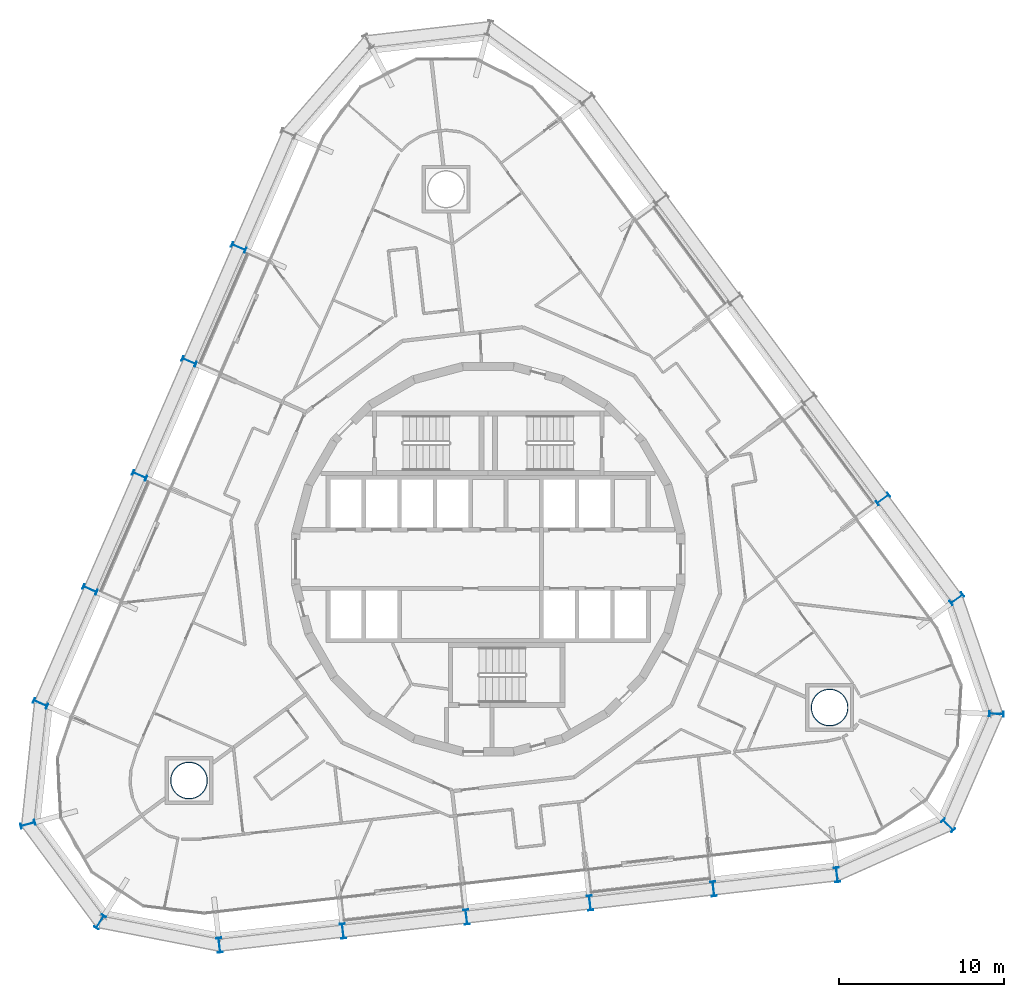
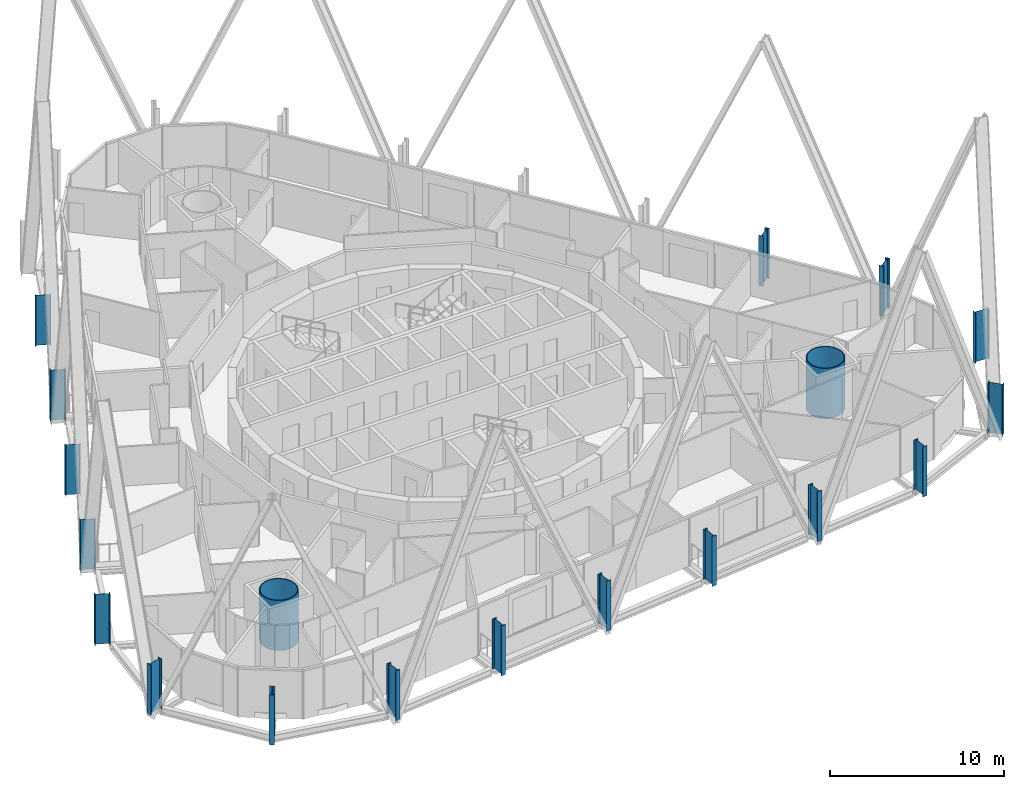
# One storey, part 1 of 23: 19 columns.
"""IFC4 building model written with IfcOpenShell, lengths in metres."""

from ifc_helpers import new_model, si_unit, direction, frame, origin, origin_2d, place, context, subcontext, project, spatial, hollow_circle, i_section, extrude, material, material_profile, profile_set, type_object, element, save


model = new_model("IFC4")

# Units and contexts
model_context = context("Model", 3, precision=1e-05, world=origin(), true_north=direction((0.0, 1.0)))
body_context = subcontext(model_context, "Body", "Model", "MODEL_VIEW")
ifc_project = project(units=[si_unit("LENGTHUNIT", "METRE"), si_unit("AREAUNIT", "SQUARE_METRE"), si_unit("VOLUMEUNIT", "CUBIC_METRE"), si_unit("PLANEANGLEUNIT", "RADIAN"), si_unit("MASSUNIT", "GRAM", prefix="KILO")], contexts=[model_context])

# Site, building, storey
site_placement = place(None, origin())
site = spatial("IfcSite", under=ifc_project, at=site_placement, CompositionType="ELEMENT")
building_placement = place(site_placement, origin())
building = spatial("IfcBuilding", under=site, at=building_placement, Name="Spindle Arch Residences", CompositionType="ELEMENT")
storey_placement = place(building_placement, frame((0.0, 0.0, 90.699951171875)))
storey = spatial("IfcBuildingStorey", under=building, at=storey_placement, Name="L21", CompositionType="ELEMENT", Elevation=90.699951171875)

# Columns
ifc_material_1 = material(Name="Steel S460ML, intumescent coating R 240", Category="steel")
ifc_material_profile_1 = material_profile(ifc_material_1, i_section(OverallWidth=0.300048828125, OverallDepth=0.89990234375, WebThickness=0.0185546875, FlangeThickness=0.034912109375, FilletRadius=0.030029296875, at=origin_2d()), Name="HEB 900")
ifc_profile_set_1 = profile_set([ifc_material_profile_1], Name="Steel S460ML, intumescent coating R 240")
column_type_1 = type_object("IfcColumnType", Name="Exoskeleton post HEB 900", PredefinedType="COLUMN", material=ifc_profile_set_1)
for number, where, z_axis, x_axis, name in (
    (1, (6.153076171875, -20.794677734375, -0.3798828125), (0.0, 0.0, 1.0), (-0.993571881569, -0.113202986513, 0.0), "Exoskeleton post 1"),
    (2, (13.62353515625, -19.943603515625, -0.3798828125), (0.0, 0.0, 1.0), (-0.993571881569, -0.113202986513, 0.0), "Exoskeleton post 2"),
    (3, (21.093994140625, -19.09228515625, -0.3798828125), (0.0, 0.0, 1.0), (-0.993571881569, -0.113202986513, 0.0), "Exoskeleton post 3"),
    (4, (27.81103515625, -16.097900390625, -0.3798828125), (0.0, 0.0, 1.0), (-0.704963041271, -0.709244041527, 0.0), "Exoskeleton post 4"),
    (5, (30.740478515625, -9.36083984375, -0.3798828125), (0.0, 0.0, 1.0), (-0.037923985838, -0.9992806269, 0.0), "Exoskeleton post 5"),
    (6, (28.349365234375, -2.40625, -0.3798828125), (0.0, 0.0, 1.0), (0.594822857897, -0.803856807972, 0.0), "Exoskeleton post 6"),
    (7, (23.876953125, 3.637939453125, -0.3798828125), (0.0, 0.0, 1.0), (0.594822857897, -0.803856807972, 0.0), "Exoskeleton post 7"),
    (8, (-15.0888671875, 18.859130859375, -0.3798828125), (0.0, 0.0, 1.0), (0.398749038162, 0.917060087761, 0.0), "Exoskeleton post 15"),
    (9, (-18.087158203125, 11.9638671875, -0.3798828125), (0.0, 0.0, 1.0), (0.398749038162, 0.917060087761, 0.0), "Exoskeleton post 16"),
    (10, (-21.085205078125, 5.068603515625, -0.3798828125), (0.0, 0.0, 1.0), (0.398749038162, 0.917060087761, 0.0), "Exoskeleton post 17"),
    (11, (-24.083251953125, -1.826416015625, -0.3798828125), (0.0, 0.0, 1.0), (0.398749038162, 0.917060087761, 0.0), "Exoskeleton post 18"),
    (12, (-27.081298828125, -8.7216796875, -0.3798828125), (0.0, 0.0, 1.0), (0.398749038162, 0.917060087761, 0.0), "Exoskeleton post 19"),
    (13, (-27.8466796875, -16.035888671875, -0.3798828125), (0.0, 0.0, 1.0), (-0.261741969429, 0.965137887268, 0.0), "Exoskeleton post 20"),
    (14, (-23.47705078125, -21.94140625, -0.3798828125), (0.0, 0.0, 1.0), (-0.846440049151, 0.532484030928, 0.0), "Exoskeleton post 21"),
    (15, (-16.258544921875, -23.34814453125, -0.3798828125), (0.0, 0.0, 1.0), (-0.993571881569, -0.113202986513, 0.0), "Exoskeleton post 22"),
    (16, (-8.7880859375, -22.4970703125, -0.3798828125), (0.0, 0.0, 1.0), (-0.993571881569, -0.113202986513, 0.0), "Exoskeleton post 23"),
    (17, (-1.3173828125, -21.645751953125, -0.3798828125), (0.0, 0.0, 1.0), (-0.993571881569, -0.113202986513, 0.0), "Exoskeleton post 24"),
):
    element("IfcColumn", number, at=place(storey_placement, frame(where, z_axis=z_axis, x_axis=x_axis)), inside=storey, type_object=column_type_1, Name=name, PredefinedType="COLUMN", context=body_context, shape_type="SweptSolid", body=[
        extrude(i_section(OverallWidth=0.300048828125, OverallDepth=0.89990234375, WebThickness=0.0185546875, FlangeThickness=0.034912109375, FilletRadius=0.030029296875, at=origin_2d()), origin(), (0.0, 0.0, 1.0), 3.5),
    ])
ifc_material_2 = material(Name="Concrete C50/60 filled steel tube S460ML, intumescent coating R 240", Category="concrete")
ifc_material_profile_2 = material_profile(ifc_material_2, hollow_circle(Radius=1.125, WallThickness=0.054931640625, at=origin_2d()), Name="CFT D2250x55")
ifc_profile_set_2 = profile_set([ifc_material_profile_2], Name="Concrete C50/60 filled steel tube S460ML, intumescent coating R 240")
column_type_2 = type_object("IfcColumnType", Name="Mega-column CFT D2250x55", PredefinedType="COLUMN", material=ifc_profile_set_2)
for number, where, z_axis, x_axis, name in (
    (18, (20.647705078125, -8.977783203125, -0.3798828125), (0.0, 0.0, 1.0), (1.0, 0.0, 0.0), "Mega-column 1"),
    (19, (-18.098876953125, -13.392578125, -0.3798828125), (0.0, 0.0, 1.0), (1.0, 0.0, 0.0), "Mega-column 3"),
):
    element("IfcColumn", number, at=place(storey_placement, frame(where, z_axis=z_axis, x_axis=x_axis)), inside=storey, type_object=column_type_2, Name=name, PredefinedType="COLUMN", context=body_context, shape_type="SweptSolid", body=[
        extrude(hollow_circle(Radius=1.125, WallThickness=0.054931640625, at=origin_2d()), origin(), (0.0, 0.0, 1.0), 3.5),
    ])

save(model, "model.ifc")
